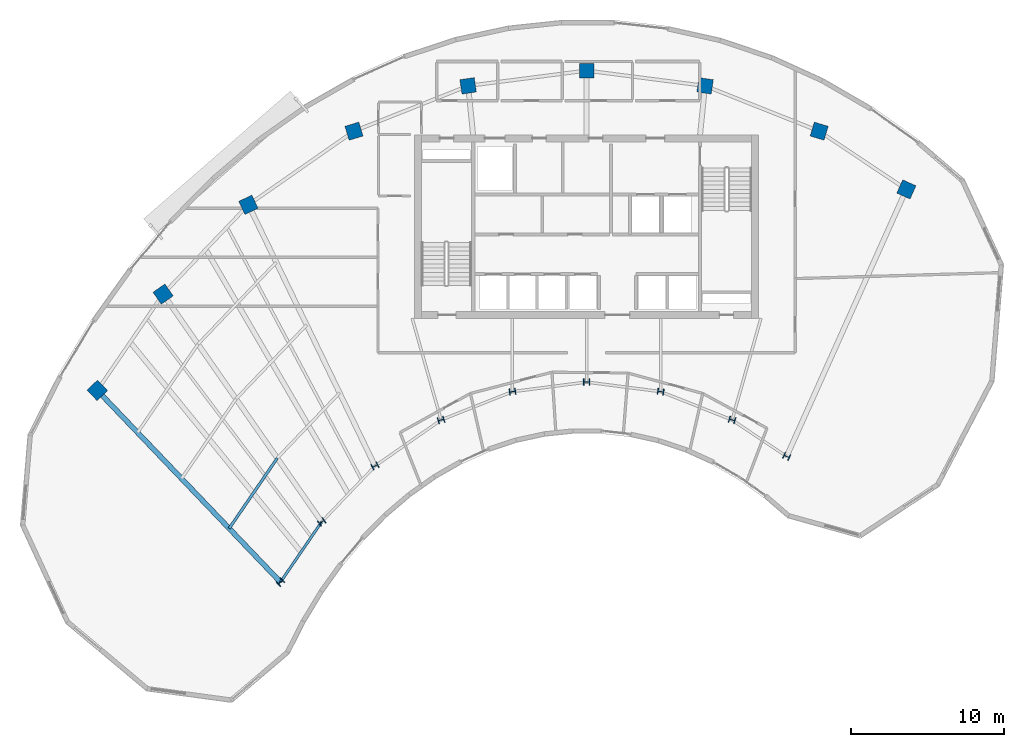
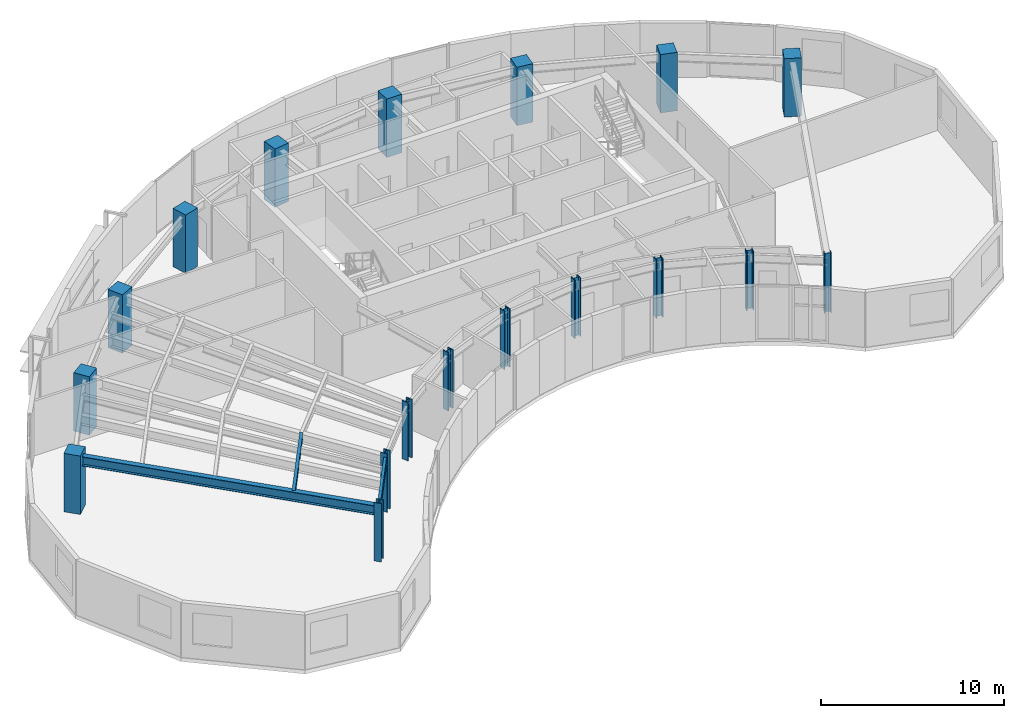
# One storey, part 1 of 12: 18 columns, 3 beams.
"""IFC4 building model written with IfcOpenShell, lengths in metres."""

from ifc_helpers import new_model, si_unit, direction, frame, origin, origin_2d, place, context, subcontext, project, spatial, rectangle, i_section, extrude, source, transform, mapped, material, material_profile, profile_set, type_object, type_shapes, element, save


model = new_model("IFC4")

# Units and contexts
model_context = context("Model", 3, precision=1e-05, world=origin(), true_north=direction((0.0, 1.0)))
body_context = subcontext(model_context, "Body", "Model", "MODEL_VIEW")
ifc_project = project(units=[si_unit("LENGTHUNIT", "METRE"), si_unit("AREAUNIT", "SQUARE_METRE"), si_unit("VOLUMEUNIT", "CUBIC_METRE"), si_unit("PLANEANGLEUNIT", "RADIAN"), si_unit("MASSUNIT", "GRAM", prefix="KILO")], contexts=[model_context])

# Site, building, storey
site_placement = place(None, origin())
site = spatial("IfcSite", under=ifc_project, at=site_placement, CompositionType="ELEMENT")
building_placement = place(site_placement, origin())
building = spatial("IfcBuilding", under=site, at=building_placement, Name="Breltana Convention Tower", CompositionType="ELEMENT")
storey_placement = place(building_placement, frame((0.0, 0.0, 235.199951171875)))
storey = spatial("IfcBuildingStorey", under=building, at=storey_placement, Name="L57", CompositionType="ELEMENT", Elevation=235.199951171875)

# Columns
ifc_material_1 = material(Name="Steel ASTM A992 Grade 50", Category="steel")
ifc_material_profile_1 = material_profile(ifc_material_1, i_section(OverallWidth=0.406005859375, OverallDepth=0.416015625, WebThickness=0.02978515625, FlangeThickness=0.048095703125, at=origin_2d()), Name="W14X257")
ifc_profile_set_1 = profile_set([ifc_material_profile_1], Name="Steel ASTM A992 Grade 50")
column_type_1 = type_object("IfcColumnType", Name="COL-STL-W14X257", PredefinedType="COLUMN", material=ifc_profile_set_1)
shared_shape_1 = source(origin(), body_context, "Body", "SweptSolid", [
    extrude(i_section(OverallWidth=0.406005859375, OverallDepth=0.416015625, WebThickness=0.02978515625, FlangeThickness=0.048095703125, at=origin_2d()), origin(), (0.0, 0.0, 1.0), 3.900146484375),
])
for number, where, z_axis, x_axis, name in (
    (1, (27.984619140625, 42.95458984375, 0.0), (0.0, 0.0, 1.0), (-0.690756218984, 0.723087716626, 0.0), "L57 Tower Column R01-IN"),
    (2, (30.67724609375, 46.892333984375, 0.0), (0.0, 0.0, 1.0), (-0.571143442153, 0.820850271661, 0.0), "L57 Tower Column R02-IN"),
    (3, (34.166259765625, 50.544921875, 0.0), (0.0, 0.0, 1.0), (-0.436173672171, 0.899862504889, 0.0), "L57 Tower Column R03-IN"),
    (4, (38.485107421875, 53.5576171875, 0.0), (0.0, 0.0, 1.0), (-0.288697611798, 0.957420330337, 0.0), "L57 Tower Column R04-IN"),
    (5, (43.153564453125, 55.41064453125, 0.0), (0.0, 0.0, 1.0), (-0.143492621991, 0.98965138682, 0.0), "L57 Tower Column R05-IN"),
    (6, (48.0, 56.035888671875, 0.0), (0.0, 0.0, 1.0), (0.0, 1.0, 0.0), "L57 Tower Column R06-IN"),
    (7, (52.846435546875, 55.41064453125, 0.0), (0.0, 0.0, 1.0), (0.143492621991, 0.98965138682, 0.0), "L57 Tower Column R07-IN"),
    (8, (57.514892578125, 53.5576171875, 0.0), (0.0, 0.0, 1.0), (0.288697611798, 0.957420330337, 0.0), "L57 Tower Column R08-IN"),
    (9, (61.08203125, 51.174560546875, 0.0), (0.0, 0.0, 1.0), (0.409126902895, 0.912477494148, 0.0), "L57 Tower Column R09-IN"),
):
    element("IfcColumn", number, at=place(storey_placement, frame(where, z_axis=z_axis, x_axis=x_axis)), inside=storey, type_object=column_type_1, Name=name, PredefinedType="COLUMN", context=body_context, shape_type="MappedRepresentation", body=[
        mapped(shared_shape_1, transform((0.0, 0.0, 0.0), scale=1.0)),
    ])
ifc_material_2 = material(Name="Concrete C50/60", Category="concrete")
ifc_material_profile_2 = material_profile(ifc_material_2, rectangle(XDim=0.949951171875, YDim=0.949951171875, at=origin_2d()), Name="RC-COL-950X950")
ifc_profile_set_2 = profile_set([ifc_material_profile_2], Name="Concrete C50/60")
column_type_2 = type_object("IfcColumnType", Name="COL-RC-950", PredefinedType="COLUMN", material=ifc_profile_set_2)
shared_shape_2 = source(origin(), body_context, "Body", "SweptSolid", [
    extrude(rectangle(XDim=0.949951171875, YDim=0.949951171875, at=origin_2d()), origin(), (0.0, 0.0, 1.0), 3.900146484375),
])
for number, where, z_axis, x_axis, name in (
    (10, (16.0068359375, 55.494384765625, 0.0), (0.0, 0.0, 1.0), (-0.690756218984, 0.723087716626, 0.0), "L57 Tower Column R01-OUT"),
    (11, (20.310791015625, 61.78857421875, 0.0), (0.0, 0.0, 1.0), (-0.571143442153, 0.820850271661, 0.0), "L57 Tower Column R02-OUT"),
    (12, (25.8876953125, 67.626953125, 0.0), (0.0, 0.0, 1.0), (-0.436173672171, 0.899862504889, 0.0), "L57 Tower Column R03-OUT"),
    (13, (32.791015625, 72.4423828125, 0.0), (0.0, 0.0, 1.0), (-0.288697611798, 0.957420330337, 0.0), "L57 Tower Column R04-OUT"),
    (14, (40.253173828125, 75.404296875, 0.0), (0.0, 0.0, 1.0), (-0.143492621991, 0.98965138682, 0.0), "L57 Tower Column R05-OUT"),
    (15, (48.0, 76.404052734375, 0.0), (0.0, 0.0, 1.0), (0.0, 1.0, 0.0), "L57 Tower Column R06-OUT"),
    (16, (55.746826171875, 75.404296875, 0.0), (0.0, 0.0, 1.0), (0.143492621991, 0.98965138682, 0.0), "L57 Tower Column R07-OUT"),
    (17, (63.208984375, 72.4423828125, 0.0), (0.0, 0.0, 1.0), (0.288697611798, 0.957420330337, 0.0), "L57 Tower Column R08-OUT"),
    (18, (68.910400390625, 68.63330078125, 0.0), (0.0, 0.0, 1.0), (0.409126902895, 0.912477494148, 0.0), "L57 Tower Column R09-OUT"),
):
    element("IfcColumn", number, at=place(storey_placement, frame(where, z_axis=z_axis, x_axis=x_axis)), inside=storey, type_object=column_type_2, Name=name, PredefinedType="COLUMN", context=body_context, shape_type="MappedRepresentation", body=[
        mapped(shared_shape_2, transform((0.0, 0.0, 0.0), scale=1.0)),
    ])

# Beams
ifc_material_profile_3 = material_profile(ifc_material_1, i_section(OverallWidth=0.179931640625, OverallDepth=0.4130859375, WebThickness=0.009765625, FlangeThickness=0.01611328125, at=origin_2d()), Name="W16X50")
ifc_profile_set_3 = profile_set([ifc_material_profile_3], Name="Steel ASTM A992 Grade 50")
beam_type_1 = type_object("IfcBeamType", Name="BM-JSG-08", PredefinedType="JOIST", material=ifc_profile_set_3)
shared_shape_3 = source(origin(), body_context, "Body", "SweptSolid", [
    extrude(i_section(OverallWidth=0.179931640625, OverallDepth=0.4130859375, WebThickness=0.009765625, FlangeThickness=0.01611328125, at=origin_2d()), origin(), (0.0, 0.0, 1.0), 5.569580078125),
])
beam_1_placement = place(storey_placement, frame((24.630615234375, 46.4658203125, 3.443603515625), z_axis=(0.564493760458, 0.825437335237, 0.0), x_axis=(-0.825437335237, 0.564493760458, 0.0)))
element("IfcBeam", 19, at=beam_1_placement, inside=storey, type_object=beam_type_1, Name="L57 Composite Floor Joist 01.1", PredefinedType="JOIST", context=body_context, shape_type="MappedRepresentation", body=[
    mapped(shared_shape_3, transform((0.0, 0.0, 0.0), scale=1.0)),
])
ifc_material_profile_4 = material_profile(ifc_material_1, i_section(OverallWidth=0.166015625, OverallDepth=0.534912109375, WebThickness=0.01025390625, FlangeThickness=0.0166015625, at=origin_2d()), Name="W21X57")
ifc_profile_set_4 = profile_set([ifc_material_profile_4], Name="Steel ASTM A992 Grade 50")
beam_type_2 = type_object("IfcBeamType", Name="BM-BM-W21X57", PredefinedType="BEAM", material=ifc_profile_set_4)
shared_shape_4 = source(origin(), body_context, "Body", "SweptSolid", [
    extrude(i_section(OverallWidth=0.166015625, OverallDepth=0.534912109375, WebThickness=0.01025390625, FlangeThickness=0.0166015625, at=origin_2d()), origin(), (0.0, 0.0, 1.0), 4.770263671875),
])
beam_2_placement = place(storey_placement, frame((27.984619140625, 42.95458984375, 3.382568359375), z_axis=(0.564452719055, 0.82546540082, 0.0), x_axis=(-0.82546540082, 0.564452719055, 0.0)))
element("IfcBeam", 20, at=beam_2_placement, inside=storey, type_object=beam_type_2, Name="L57 Inner Ring Beam 01", PredefinedType="BEAM", context=body_context, shape_type="MappedRepresentation", body=[
    mapped(shared_shape_4, transform((0.0, 0.0, 0.0), scale=1.0)),
])
ifc_material_profile_5 = material_profile(ifc_material_1, i_section(OverallWidth=0.326904296875, OverallDepth=0.6220703125, WebThickness=0.015380859375, FlangeThickness=0.0244140625, at=origin_2d()), Name="W24X131")
ifc_profile_set_5 = profile_set([ifc_material_profile_5], Name="Steel ASTM A992 Grade 50")
beam_type_3 = type_object("IfcBeamType", Name="BM-RG-W24X131", PredefinedType="USERDEFINED", material=ifc_profile_set_5)
shared_shape_5 = source(origin(), body_context, "Body", "SweptSolid", [
    extrude(i_section(OverallWidth=0.326904296875, OverallDepth=0.6220703125, WebThickness=0.015380859375, FlangeThickness=0.0244140625, at=origin_2d()), origin(), (0.0, 0.0, 1.0), 17.341064453125),
])
type_shapes(beam_type_3, [shared_shape_5])
beam_3_placement = place(storey_placement, frame((27.984619140625, 42.95458984375, 3.339111328125), z_axis=(-0.690716462293, 0.723125693581, 0.0), x_axis=(-0.723125693581, -0.690716462293, 0.0)))
element("IfcBeam", 21, at=beam_3_placement, inside=storey, type_object=beam_type_3, Name="L57 Radial Floor Girder R01", ObjectType="GIRDER", PredefinedType="USERDEFINED", context=body_context, shape_type="MappedRepresentation", body=[
    mapped(shared_shape_5, transform((0.0, 0.0, 0.0), scale=1.0)),
])

save(model, "model.ifc")
